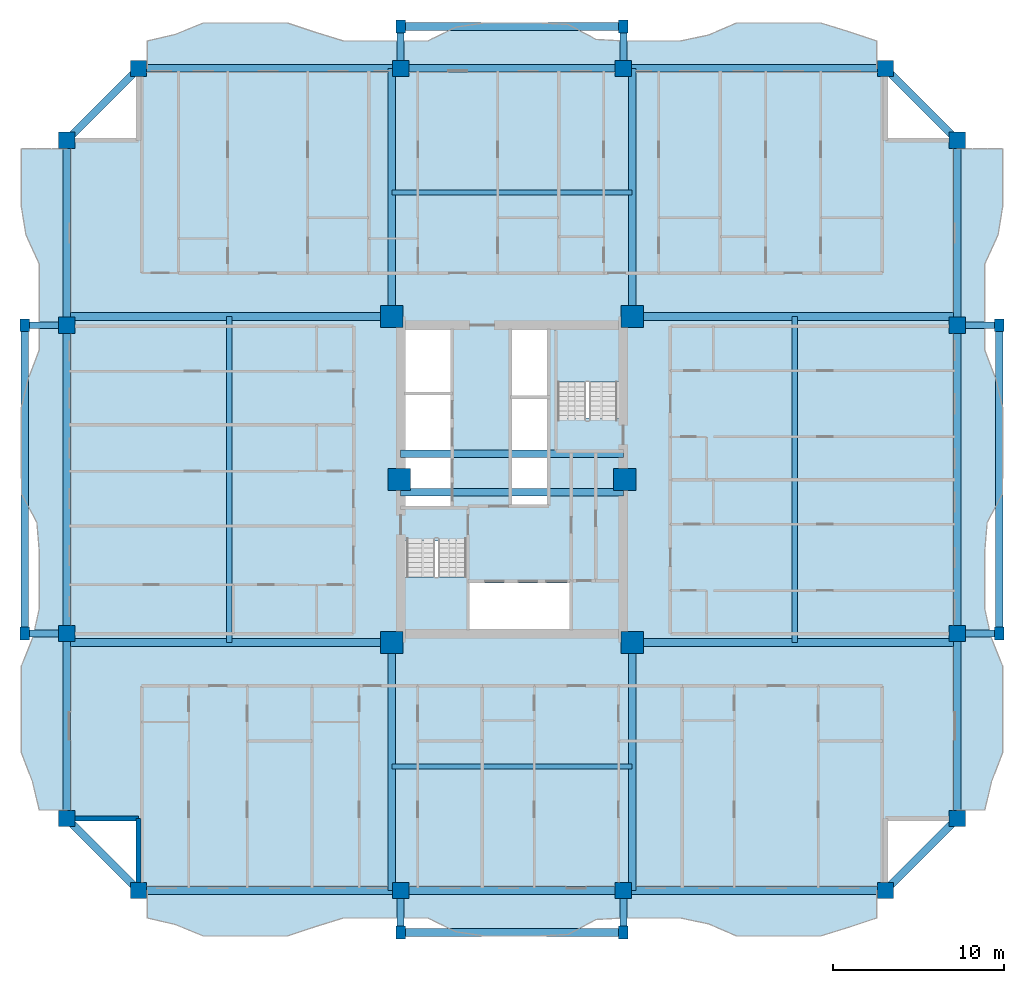
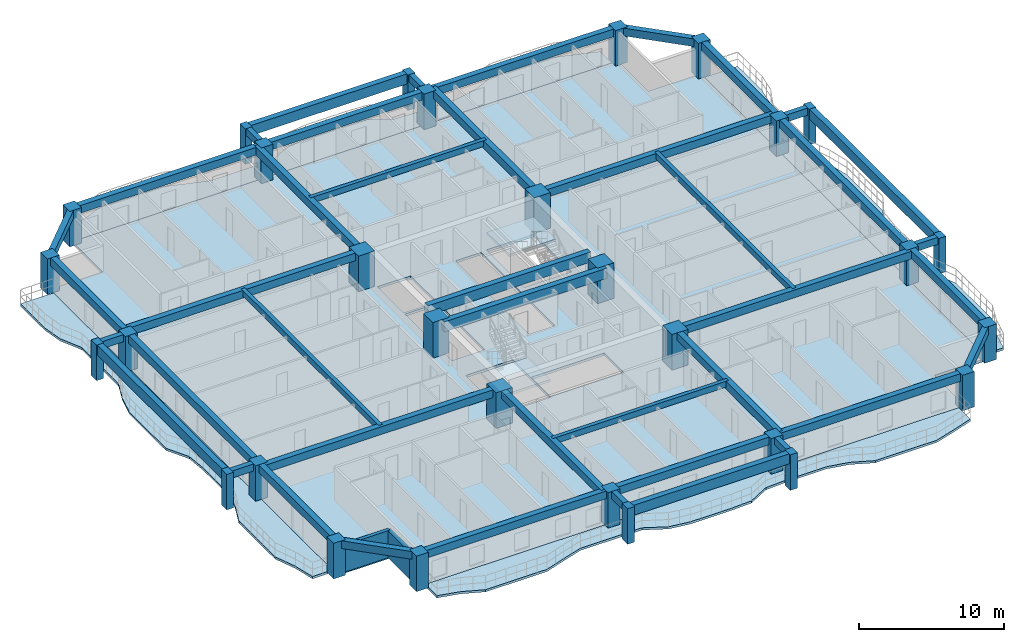
# One storey, part 1 of 14: 42 beams, 30 columns, 7 slabs, 2 walls, 2 elements without a shape of their own.
"""IFC4 building model written with IfcOpenShell, lengths in metres."""

import ifcopenshell
import ifcopenshell.guid

model = None  # the IFC model being written
_history = None  # IfcOwnerHistory: only IFC2X3 demands one
_inside = {}  # id of a spatial element -> (the spatial element, [elements in it])
_under = {}  # id of a project, library or spatial element -> (it, [spatial elements below it])
_declared = {}  # id of a project -> (the project, [libraries it declares])
_typed = {}  # id of a type object -> (the type object, [elements of that type])
_made_of = {}  # id of a material, layer set ... -> (it, [elements and type objects made of it])


def new_model(schema):
    """Start an empty IFC model of exactly this schema.

    Asked for "IFC4X3", IfcOpenShell would pick the latest addendum, in which some entities
    have other attributes; the version numbers below select the first issue.
    IFC2X3 requires an IfcOwnerHistory on every rooted entity: one is made here for all.
    """
    global model, _history
    if schema == "IFC4X3":
        model = ifcopenshell.file(schema_version=(4, 3, 0, 0))
    else:
        model = ifcopenshell.file(schema=schema)
    _inside.clear()
    _under.clear()
    _declared.clear()
    _typed.clear()
    _made_of.clear()
    _history = None
    if model.schema == "IFC2X3":
        org = make("IfcOrganization", Name="unknown")
        user = make(
            "IfcPersonAndOrganization",
            ThePerson=make("IfcPerson", FamilyName="unknown"),
            TheOrganization=org,
        )
        app = make(
            "IfcApplication",
            ApplicationDeveloper=org,
            Version="unknown",
            ApplicationFullName="unknown",
            ApplicationIdentifier="unknown",
        )
        _history = make(
            "IfcOwnerHistory",
            OwningUser=user,
            OwningApplication=app,
            ChangeAction="ADDED",
            CreationDate=0,
        )
    return model


def make(cls, **values):
    """One entity of the class cls with the attributes given. An attribute that is None is left unset."""
    return model.create_entity(
        cls, **{name: value for name, value in values.items() if value is not None}
    )


def rooted(cls, **values):
    """An entity with a GlobalId (a new one), such as an element, a storey or a relation."""
    return make(cls, GlobalId=ifcopenshell.guid.new(), OwnerHistory=_history, **values)


def si_unit(unit_type, name, prefix=None):
    """IfcSIUnit, for example si_unit("LENGTHUNIT", "METRE", prefix="MILLI")."""
    return make("IfcSIUnit", UnitType=unit_type, Prefix=prefix, Name=name)


def assignment(units):
    """IfcUnitAssignment: the units of a project."""
    return None if units is None else make("IfcUnitAssignment", Units=units)


def point(xyz):
    """IfcCartesianPoint."""
    return None if xyz is None else make("IfcCartesianPoint", Coordinates=xyz)


def direction(xyz):
    """IfcDirection."""
    return None if xyz is None else make("IfcDirection", DirectionRatios=xyz)


def frame(location, z_axis=None, x_axis=None):
    """IfcAxis2Placement3D, a coordinate frame: its origin and axes. An axis left out is left unset."""
    return make(
        "IfcAxis2Placement3D",
        Location=point(location),
        Axis=direction(z_axis),
        RefDirection=direction(x_axis),
    )


def frame_2d(location, x_axis=None):
    """IfcAxis2Placement2D, a coordinate frame in the plane: its origin and x axis."""
    return make(
        "IfcAxis2Placement2D", Location=point(location), RefDirection=direction(x_axis)
    )


def origin():
    """The frame at (0, 0, 0) with its axes left unset."""
    return frame((0.0, 0.0, 0.0))


def origin_2d():
    """The frame at (0, 0) in the plane with its x axis left unset."""
    return frame_2d((0.0, 0.0))


def place(relative_to, where):
    """IfcLocalPlacement: puts the frame where relative to a parent placement (None: the world)."""
    return make(
        "IfcLocalPlacement", PlacementRelTo=relative_to, RelativePlacement=where
    )


def context(
    kind, dimensions, precision=None, world=None, true_north=None, identifier=None
):
    """IfcGeometricRepresentationContext, for example the 3D "Model" context."""
    return make(
        "IfcGeometricRepresentationContext",
        ContextIdentifier=identifier,
        ContextType=kind,
        CoordinateSpaceDimension=dimensions,
        Precision=precision,
        WorldCoordinateSystem=world,
        TrueNorth=true_north,
    )


def subcontext(parent, identifier, kind, view, scale=None):
    """IfcGeometricRepresentationSubContext, for example "Body" below "Model"."""
    return make(
        "IfcGeometricRepresentationSubContext",
        ContextIdentifier=identifier,
        ContextType=kind,
        ParentContext=parent,
        TargetScale=scale,
        TargetView=view,
    )


def project(units=None, contexts=None):
    """IfcProject with its units and contexts."""
    return rooted(
        "IfcProject",
        Name="project",
        RepresentationContexts=contexts,
        UnitsInContext=assignment(units),
    )


def spatial(cls, under=None, at=None, **own):
    """A site, building, storey or space (cls), placed at a placement, below another one or the project."""
    s = rooted(cls, ObjectPlacement=at, **own)
    if under is not None:
        _under.setdefault(under.id(), (under, []))[1].append(s)
    return s


def polyline(points):
    """IfcPolyline through the points."""
    return make("IfcPolyline", Points=[point(p) for p in points])


def profile(cls, at=None, kind="AREA", **sizes):
    """A parametric profile (cls). Its sizes go by their IFC names, for example OverallWidth=200.0."""
    return make(cls, ProfileType=kind, Position=at, **sizes)


def rectangle(**sizes):
    """IfcRectangleProfileDef."""
    return profile("IfcRectangleProfileDef", **sizes)


def outline(outer, holes=None, kind="AREA"):
    """IfcArbitraryClosedProfileDef: a profile drawn as a closed curve; with holes, ...WithVoids."""
    if holes is None:
        return make("IfcArbitraryClosedProfileDef", ProfileType=kind, OuterCurve=outer)
    return make(
        "IfcArbitraryProfileDefWithVoids",
        ProfileType=kind,
        OuterCurve=outer,
        InnerCurves=holes,
    )


def extrude(swept, where, along, depth):
    """IfcExtrudedAreaSolid: the profile swept, set in the frame where, extruded along a direction by depth."""
    return make(
        "IfcExtrudedAreaSolid",
        SweptArea=swept,
        Position=where,
        ExtrudedDirection=direction(along),
        Depth=depth,
    )


def shape(context_of_items, identifier, shape_type, items):
    """IfcShapeRepresentation: the items that make up one representation, for example the "Body"."""
    return make(
        "IfcShapeRepresentation",
        ContextOfItems=context_of_items,
        RepresentationIdentifier=identifier,
        RepresentationType=shape_type,
        Items=items,
    )


def source(mapping_origin, context_of_items, identifier, shape_type, items):
    """IfcRepresentationMap: a shape defined once, which mapped items show again and again."""
    return make(
        "IfcRepresentationMap",
        MappingOrigin=mapping_origin,
        MappedRepresentation=shape(context_of_items, identifier, shape_type, items),
    )


def transform(
    local_origin,
    x_axis=None,
    y_axis=None,
    z_axis=None,
    scale=None,
    scale2=None,
    scale3=None,
    uniform=True,
):
    """IfcCartesianTransformationOperator3D, or its non-uniform kind. x_axis, y_axis, z_axis: its Axis1, 2, 3."""
    if uniform:
        return make(
            "IfcCartesianTransformationOperator3D",
            Axis1=direction(x_axis),
            Axis2=direction(y_axis),
            LocalOrigin=point(local_origin),
            Scale=scale,
            Axis3=direction(z_axis),
        )
    return make(
        "IfcCartesianTransformationOperator3DnonUniform",
        Axis1=direction(x_axis),
        Axis2=direction(y_axis),
        LocalOrigin=point(local_origin),
        Scale=scale,
        Axis3=direction(z_axis),
        Scale2=scale2,
        Scale3=scale3,
    )


def mapped(mapping_source, mapping_target):
    """IfcMappedItem: shows the shape of a source again, moved by a transform."""
    return make(
        "IfcMappedItem", MappingSource=mapping_source, MappingTarget=mapping_target
    )


def material(Name=None, Category=None):
    """IfcMaterial."""
    return make("IfcMaterial", Name=Name, Category=Category)


def layer(
    of_material, thickness, ventilated=None, Name=None, Category=None, Priority=None
):
    """IfcMaterialLayer: one layer of a wall or slab, of a material (None: an air gap)."""
    return make(
        "IfcMaterialLayer",
        Material=of_material,
        LayerThickness=thickness,
        IsVentilated=ventilated,
        Name=Name,
        Category=Category,
        Priority=Priority,
    )


def layer_set(layers, Name=None):
    """IfcMaterialLayerSet."""
    return make("IfcMaterialLayerSet", MaterialLayers=layers, LayerSetName=Name)


def material_profile(
    of_material, cross_section, Name=None, Category=None, Priority=None
):
    """IfcMaterialProfile: a cross section and its material."""
    return make(
        "IfcMaterialProfile",
        Name=Name,
        Material=of_material,
        Profile=cross_section,
        Priority=Priority,
        Category=Category,
    )


def profile_set(profiles, Name=None, composite=None):
    """IfcMaterialProfileSet."""
    return make(
        "IfcMaterialProfileSet",
        Name=Name,
        MaterialProfiles=profiles,
        CompositeProfile=composite,
    )


def made_of(thing, what):
    """Note that an element or type object is made of a material, layer set ...; save() writes the relation."""
    if what is not None:
        _made_of.setdefault(what.id(), (what, []))[1].append(thing)
    return thing


def type_object(cls, material=None, **own):
    """A type object (cls), such as IfcWallType, which elements share."""
    return made_of(rooted(cls, **own), material)


def element(
    cls,
    number,
    at=None,
    inside=None,
    cuts=None,
    type_object=None,
    material=None,
    context=None,
    identifier="Body",
    shape_type=None,
    held_by="IfcProductDefinitionShape",
    body=None,
    shapes=None,
    **own,
):
    """One element of the class cls, such as IfcWall. Its Tag is "e" and its number.

    at: its placement. inside: the storey or other place that contains it. cuts: it is an
    opening in that element (IfcRelVoidsElement). A single representation is given by context,
    identifier, shape_type and body (its items); several are given by shapes. held_by: the class
    of the entity that holds the representations. save() writes the other relations.
    """
    e = rooted(cls, Tag="e%d" % number, ObjectPlacement=at, **own)
    if body is not None:
        shapes = [shape(context, identifier, shape_type, body)]
    if shapes is not None:
        e.Representation = make(held_by, Representations=shapes)
    if inside is not None:
        _inside.setdefault(inside.id(), (inside, []))[1].append(e)
    if cuts is not None:
        rooted(
            "IfcRelVoidsElement", RelatingBuildingElement=cuts, RelatedOpeningElement=e
        )
    if type_object is not None:
        _typed.setdefault(type_object.id(), (type_object, []))[1].append(e)
    return made_of(e, material)


def aggregate(whole, parts):
    """IfcRelAggregates: a whole, such as a stair, and the parts it consists of."""
    return rooted("IfcRelAggregates", RelatingObject=whole, RelatedObjects=parts)


def save(model, path):
    """Write the relations noted so far, then the file.

    IfcRelAggregates (storeys below a building ...), IfcRelContainedInSpatialStructure (elements
    in a storey), IfcRelDefinesByType, IfcRelAssociatesMaterial and IfcRelDeclares: one each for
    every whole, place, type object, material and project.
    """
    for whole, parts in _under.values():
        aggregate(whole, parts)
    for where, things in _inside.values():
        rooted(
            "IfcRelContainedInSpatialStructure",
            RelatedElements=things,
            RelatingStructure=where,
        )
    for kind, things in _typed.values():
        rooted("IfcRelDefinesByType", RelatedObjects=things, RelatingType=kind)
    for what, things in _made_of.values():
        rooted("IfcRelAssociatesMaterial", RelatedObjects=things, RelatingMaterial=what)
    for by, libraries in _declared.values():
        rooted("IfcRelDeclares", RelatingContext=by, RelatedDefinitions=libraries)
    model.write(path)


model = new_model("IFC4")

# Units and contexts
model_context = context("Model", 3, precision=1e-05, world=origin(), true_north=direction((0.0, 1.0)))
body_context = subcontext(model_context, "Body", "Model", "MODEL_VIEW")
ifc_project = project(units=[si_unit("LENGTHUNIT", "METRE"), si_unit("AREAUNIT", "SQUARE_METRE"), si_unit("VOLUMEUNIT", "CUBIC_METRE"), si_unit("PLANEANGLEUNIT", "RADIAN"), si_unit("MASSUNIT", "GRAM", prefix="KILO")], contexts=[model_context])

# Site, building, storey
site_placement = place(None, origin())
site = spatial("IfcSite", under=ifc_project, at=site_placement, CompositionType="ELEMENT")
building_placement = place(site_placement, origin())
building = spatial("IfcBuilding", under=site, at=building_placement, Name="Saelheon Loggia Tower", CompositionType="ELEMENT")
storey_placement = place(building_placement, frame((0.0, 0.0, 86.85009765625)))
storey = spatial("IfcBuildingStorey", under=building, at=storey_placement, Name="L27", CompositionType="ELEMENT", Elevation=86.85009765625)

# Columns
ifc_material_1 = material(Name="Precast Concrete C45/55", Category="concrete")
ifc_material_profile_1 = material_profile(ifc_material_1, rectangle(XDim=0.550048828125, YDim=0.75, at=origin_2d()), Name="RC-550x750")
ifc_profile_set_1 = profile_set([ifc_material_profile_1], Name="Precast Concrete C45/55")
column_type_1 = type_object("IfcColumnType", Name="Col_Loggia_Pilaster_750", PredefinedType="PILASTER", material=ifc_profile_set_1)
shared_shape_1 = source(origin(), body_context, "Body", "SweptSolid", [
    extrude(rectangle(XDim=0.550048828125, YDim=0.75, at=origin_2d()), origin(), (0.0, 0.0, 1.0), 3.0),
])
for number, where, z_axis, x_axis, name in (
    (1, (31.5, 0.550048828125, 0.0), (0.0, 0.0, 1.0), (1.0, 0.0, 0.0), "L27 Loggia Frame Pilaster LP-S1"),
    (2, (44.5, 0.550048828125, 0.0), (0.0, 0.0, 1.0), (1.0, 0.0, 0.0), "L27 Loggia Frame Pilaster LP-S2"),
    (3, (31.5, 53.449951171875, 0.0), (0.0, 0.0, 1.0), (1.0, 0.0, 0.0), "L27 Loggia Frame Pilaster LP-N1"),
    (4, (44.5, 53.449951171875, 0.0), (0.0, 0.0, 1.0), (1.0, 0.0, 0.0), "L27 Loggia Frame Pilaster LP-N2"),
    (5, (66.449951171875, 18.0, 0.0), (0.0, 0.0, 1.0), (1.0, 0.0, 0.0), "L27 Loggia Frame Pilaster LP-E1"),
    (6, (66.449951171875, 36.0, 0.0), (0.0, 0.0, 1.0), (1.0, 0.0, 0.0), "L27 Loggia Frame Pilaster LP-E2"),
    (7, (9.550048828125, 18.0, 0.0), (0.0, 0.0, 1.0), (1.0, 0.0, 0.0), "L27 Loggia Frame Pilaster LP-W1"),
    (8, (9.550048828125, 36.0, 0.0), (0.0, 0.0, 1.0), (1.0, 0.0, 0.0), "L27 Loggia Frame Pilaster LP-W2"),
):
    element("IfcColumn", number, at=place(storey_placement, frame(where, z_axis=z_axis, x_axis=x_axis)), inside=storey, type_object=column_type_1, Name=name, PredefinedType="PILASTER", context=body_context, shape_type="MappedRepresentation", body=[
        mapped(shared_shape_1, transform((0.0, 0.0, 0.0), scale=1.0)),
    ])
ifc_material_2 = material(Name="Concrete C60/75", Category="concrete")
ifc_material_profile_2 = material_profile(ifc_material_2, rectangle(XDim=1.300048828125, YDim=1.300048828125, at=origin_2d()), Name="RC-1300x1300")
ifc_profile_set_2 = profile_set([ifc_material_profile_2], Name="Concrete C60/75")
column_type_2 = type_object("IfcColumnType", Name="Col_Core_RC1300", PredefinedType="COLUMN", material=ifc_profile_set_2)
shared_shape_2 = source(origin(), body_context, "Body", "SweptSolid", [
    extrude(rectangle(XDim=1.300048828125, YDim=1.300048828125, at=origin_2d()), origin(), (0.0, 0.0, 1.0), 3.0),
])
for number, where, z_axis, x_axis, name in (
    (9, (30.97998046875, 17.47998046875, 0.0), (0.0, 0.0, 1.0), (1.0, 0.0, 0.0), "L27 Core Column CR-SW"),
    (10, (45.02001953125, 17.47998046875, 0.0), (0.0, 0.0, 1.0), (1.0, 0.0, 0.0), "L27 Core Column CR-SE"),
    (11, (30.97998046875, 36.52001953125, 0.0), (0.0, 0.0, 1.0), (1.0, 0.0, 0.0), "L27 Core Column CR-NW"),
    (12, (45.02001953125, 36.52001953125, 0.0), (0.0, 0.0, 1.0), (1.0, 0.0, 0.0), "L27 Core Column CR-NE"),
    (13, (31.419921875, 27.0, 0.0), (0.0, 0.0, 1.0), (1.0, 0.0, 0.0), "L27 Core Column CR-MW"),
    (14, (44.580078125, 27.0, 0.0), (0.0, 0.0, 1.0), (1.0, 0.0, 0.0), "L27 Core Column CR-ME"),
):
    element("IfcColumn", number, at=place(storey_placement, frame(where, z_axis=z_axis, x_axis=x_axis)), inside=storey, type_object=column_type_2, Name=name, PredefinedType="COLUMN", context=body_context, shape_type="MappedRepresentation", body=[
        mapped(shared_shape_2, transform((0.0, 0.0, 0.0), scale=1.0)),
    ])
ifc_material_3 = material(Name="Concrete C50/60", Category="concrete")
ifc_material_profile_3 = material_profile(ifc_material_3, rectangle(XDim=0.949951171875, YDim=0.949951171875, at=origin_2d()), Name="RC-950x950")
ifc_profile_set_3 = profile_set([ifc_material_profile_3], Name="Concrete C50/60")
column_type_3 = type_object("IfcColumnType", Name="Col_Perim_RC950", PredefinedType="COLUMN", material=ifc_profile_set_3)
shared_shape_3 = source(origin(), body_context, "Body", "SweptSolid", [
    extrude(rectangle(XDim=0.949951171875, YDim=0.949951171875, at=origin_2d()), origin(), (0.0, 0.0, 1.0), 3.0),
])
for number, where, z_axis, x_axis, name in (
    (15, (16.199951171875, 3.0, 0.0), (0.0, 0.0, 1.0), (1.0, 0.0, 0.0), "L27 Perimeter Column TP-S1"),
    (16, (31.5, 3.0, 0.0), (0.0, 0.0, 1.0), (1.0, 0.0, 0.0), "L27 Perimeter Column TP-SA"),
    (17, (44.5, 3.0, 0.0), (0.0, 0.0, 1.0), (1.0, 0.0, 0.0), "L27 Perimeter Column TP-SB"),
    (18, (59.800048828125, 3.0, 0.0), (0.0, 0.0, 1.0), (1.0, 0.0, 0.0), "L27 Perimeter Column TP-S2"),
    (19, (64.0, 7.199951171875, 0.0), (0.0, 0.0, 1.0), (1.0, 0.0, 0.0), "L27 Perimeter Column TP-E1"),
    (20, (64.0, 18.0, 0.0), (0.0, 0.0, 1.0), (1.0, 0.0, 0.0), "L27 Perimeter Column TP-EA"),
    (21, (64.0, 36.0, 0.0), (0.0, 0.0, 1.0), (1.0, 0.0, 0.0), "L27 Perimeter Column TP-EB"),
    (22, (64.0, 46.800048828125, 0.0), (0.0, 0.0, 1.0), (1.0, 0.0, 0.0), "L27 Perimeter Column TP-E2"),
    (23, (59.800048828125, 51.0, 0.0), (0.0, 0.0, 1.0), (1.0, 0.0, 0.0), "L27 Perimeter Column TP-N2"),
    (24, (44.5, 51.0, 0.0), (0.0, 0.0, 1.0), (1.0, 0.0, 0.0), "L27 Perimeter Column TP-NB"),
    (25, (31.5, 51.0, 0.0), (0.0, 0.0, 1.0), (1.0, 0.0, 0.0), "L27 Perimeter Column TP-NA"),
    (26, (16.199951171875, 51.0, 0.0), (0.0, 0.0, 1.0), (1.0, 0.0, 0.0), "L27 Perimeter Column TP-N1"),
    (27, (12.0, 46.800048828125, 0.0), (0.0, 0.0, 1.0), (1.0, 0.0, 0.0), "L27 Perimeter Column TP-W2"),
    (28, (12.0, 36.0, 0.0), (0.0, 0.0, 1.0), (1.0, 0.0, 0.0), "L27 Perimeter Column TP-WB"),
    (29, (12.0, 18.0, 0.0), (0.0, 0.0, 1.0), (1.0, 0.0, 0.0), "L27 Perimeter Column TP-WA"),
    (30, (12.0, 7.199951171875, 0.0), (0.0, 0.0, 1.0), (1.0, 0.0, 0.0), "L27 Perimeter Column TP-W1"),
):
    element("IfcColumn", number, at=place(storey_placement, frame(where, z_axis=z_axis, x_axis=x_axis)), inside=storey, type_object=column_type_3, Name=name, PredefinedType="COLUMN", context=body_context, shape_type="MappedRepresentation", body=[
        mapped(shared_shape_3, transform((0.0, 0.0, 0.0), scale=1.0)),
    ])

# Beams
ifc_material_profile_4 = material_profile(ifc_material_3, rectangle(XDim=0.449951171875, YDim=0.85009765625, at=origin_2d()), Name="RC-450x850")
ifc_profile_set_4 = profile_set([ifc_material_profile_4], Name="Concrete C50/60")
beam_type_1 = type_object("IfcBeamType", Name="Beam_CoreLintel_RC450x850", PredefinedType="LINTEL", material=ifc_profile_set_4)
shared_shape_4 = source(origin(), body_context, "Body", "SweptSolid", [
    extrude(rectangle(XDim=0.449951171875, YDim=0.85009765625, at=origin_2d()), origin(), (0.0, 0.0, 1.0), 13.0),
])
for number, where, z_axis, x_axis, name in (
    (31, (31.5, 26.25, 2.574951171875), (1.0, 0.0, 0.0), (0.0, 1.0, 0.0), "L27 Core Coupling Lintel 1"),
    (32, (31.5, 28.5, 2.574951171875), (1.0, 0.0, 0.0), (0.0, 1.0, 0.0), "L27 Core Coupling Lintel 2"),
):
    element("IfcBeam", number, at=place(storey_placement, frame(where, z_axis=z_axis, x_axis=x_axis)), inside=storey, type_object=beam_type_1, Name=name, PredefinedType="LINTEL", context=body_context, shape_type="MappedRepresentation", body=[
        mapped(shared_shape_4, transform((0.0, 0.0, 0.0), scale=1.0)),
    ])
ifc_material_profile_5 = material_profile(ifc_material_1, rectangle(XDim=0.449951171875, YDim=0.85009765625, at=origin_2d()), Name="RC-450x850")
ifc_profile_set_5 = profile_set([ifc_material_profile_5], Name="Precast Concrete C45/55")
beam_type_2 = type_object("IfcBeamType", Name="Beam_LoggiaSpandrel_RC450x850", PredefinedType="SPANDREL", material=ifc_profile_set_5)
for number, where, z_axis, x_axis, name in (
    (33, (31.5, 0.550048828125, 2.574951171875), (1.0, 0.0, 0.0), (0.0, 1.0, 0.0), "L27 Loggia Spandrel Beam S"),
    (34, (31.5, 53.449951171875, 2.574951171875), (1.0, 0.0, 0.0), (0.0, 1.0, 0.0), "L27 Loggia Spandrel Beam N"),
):
    element("IfcBeam", number, at=place(storey_placement, frame(where, z_axis=z_axis, x_axis=x_axis)), inside=storey, type_object=beam_type_2, Name=name, PredefinedType="SPANDREL", context=body_context, shape_type="MappedRepresentation", body=[
        mapped(shared_shape_4, transform((0.0, 0.0, 0.0), scale=1.0)),
    ])
ifc_material_profile_6 = material_profile(ifc_material_1, rectangle(XDim=0.39990234375, YDim=0.60009765625, at=origin_2d()), Name="RC-400x600")
ifc_profile_set_6 = profile_set([ifc_material_profile_6], Name="Precast Concrete C45/55")
beam_type_3 = type_object("IfcBeamType", Name="Beam_LoggiaTie_RC400x600", PredefinedType="BEAM", material=ifc_profile_set_6)
shared_shape_5 = source(origin(), body_context, "Body", "SweptSolid", [
    extrude(rectangle(XDim=0.39990234375, YDim=0.60009765625, at=origin_2d()), origin(), (0.0, 0.0, 1.0), 2.449951171875),
])
for number, where, z_axis, x_axis, name in (
    (35, (31.5, 3.0, 2.699951171875), (0.0, -1.0, 0.0), (1.0, 0.0, 0.0), "L27 Loggia Frame Tie Beam LP-S1"),
    (36, (44.5, 3.0, 2.699951171875), (0.0, -1.0, 0.0), (1.0, 0.0, 0.0), "L27 Loggia Frame Tie Beam LP-S2"),
    (37, (31.5, 51.0, 2.699951171875), (0.0, 1.0, 0.0), (-1.0, 0.0, 0.0), "L27 Loggia Frame Tie Beam LP-N1"),
    (38, (44.5, 51.0, 2.699951171875), (0.0, 1.0, 0.0), (-1.0, 0.0, 0.0), "L27 Loggia Frame Tie Beam LP-N2"),
    (39, (64.0, 18.0, 2.699951171875), (1.0, 0.0, 0.0), (0.0, 1.0, 0.0), "L27 Loggia Frame Tie Beam LP-E1"),
    (40, (64.0, 36.0, 2.699951171875), (1.0, 0.0, 0.0), (0.0, 1.0, 0.0), "L27 Loggia Frame Tie Beam LP-E2"),
    (41, (12.0, 18.0, 2.699951171875), (-1.0, 0.0, 0.0), (0.0, -1.0, 0.0), "L27 Loggia Frame Tie Beam LP-W1"),
    (42, (12.0, 36.0, 2.699951171875), (-1.0, 0.0, 0.0), (0.0, -1.0, 0.0), "L27 Loggia Frame Tie Beam LP-W2"),
):
    element("IfcBeam", number, at=place(storey_placement, frame(where, z_axis=z_axis, x_axis=x_axis)), inside=storey, type_object=beam_type_3, Name=name, PredefinedType="BEAM", context=body_context, shape_type="MappedRepresentation", body=[
        mapped(shared_shape_5, transform((0.0, 0.0, 0.0), scale=1.0)),
    ])
shared_shape_6 = source(origin(), body_context, "Body", "SweptSolid", [
    extrude(rectangle(XDim=0.449951171875, YDim=0.85009765625, at=origin_2d()), origin(), (0.0, 0.0, 1.0), 18.0),
])
for number, where, z_axis, x_axis, name in (
    (43, (66.449951171875, 18.0, 2.574951171875), (0.0, 1.0, 0.0), (-1.0, 0.0, 0.0), "L27 Loggia Spandrel Beam E"),
    (44, (9.550048828125, 18.0, 2.574951171875), (0.0, 1.0, 0.0), (-1.0, 0.0, 0.0), "L27 Loggia Spandrel Beam W"),
):
    element("IfcBeam", number, at=place(storey_placement, frame(where, z_axis=z_axis, x_axis=x_axis)), inside=storey, type_object=beam_type_2, Name=name, PredefinedType="SPANDREL", context=body_context, shape_type="MappedRepresentation", body=[
        mapped(shared_shape_6, transform((0.0, 0.0, 0.0), scale=1.0)),
    ])
ifc_material_4 = material(Name="Concrete C40/50", Category="concrete")
ifc_material_profile_7 = material_profile(ifc_material_4, rectangle(XDim=0.449951171875, YDim=0.64990234375, at=origin_2d()), Name="RC-450x650")
ifc_profile_set_7 = profile_set([ifc_material_profile_7], Name="Concrete C40/50")
beam_type_4 = type_object("IfcBeamType", Name="Beam_PerimTower_RC450x650", PredefinedType="BEAM", material=ifc_profile_set_7)
shared_shape_7 = source(origin(), body_context, "Body", "SweptSolid", [
    extrude(rectangle(XDim=0.449951171875, YDim=0.64990234375, at=origin_2d()), origin(), (0.0, 0.0, 1.0), 15.300048828125),
])
for number, where, z_axis, x_axis, name in (
    (45, (16.199951171875, 3.0, 2.6748046875), (1.0, 0.0, 0.0), (0.0, 1.0, 0.0), "L27 Perimeter Frame Girder 01"),
    (46, (44.5, 3.0, 2.6748046875), (1.0, 0.0, 0.0), (0.0, 1.0, 0.0), "L27 Perimeter Frame Girder 03"),
    (47, (59.800048828125, 51.0, 2.6748046875), (-1.0, 0.0, 0.0), (0.0, -1.0, 0.0), "L27 Perimeter Frame Girder 09"),
    (48, (31.5, 51.0, 2.6748046875), (-1.0, 0.0, 0.0), (0.0, -1.0, 0.0), "L27 Perimeter Frame Girder 11"),
):
    element("IfcBeam", number, at=place(storey_placement, frame(where, z_axis=z_axis, x_axis=x_axis)), inside=storey, type_object=beam_type_4, Name=name, PredefinedType="BEAM", context=body_context, shape_type="MappedRepresentation", body=[
        mapped(shared_shape_7, transform((0.0, 0.0, 0.0), scale=1.0)),
    ])
shared_shape_8 = source(origin(), body_context, "Body", "SweptSolid", [
    extrude(rectangle(XDim=0.449951171875, YDim=0.64990234375, at=origin_2d()), origin(), (0.0, 0.0, 1.0), 13.0),
])
for number, where, z_axis, x_axis, name in (
    (49, (31.5, 3.0, 2.6748046875), (1.0, 0.0, 0.0), (0.0, 1.0, 0.0), "L27 Perimeter Frame Girder 02"),
    (50, (44.5, 51.0, 2.6748046875), (-1.0, 0.0, 0.0), (0.0, -1.0, 0.0), "L27 Perimeter Frame Girder 10"),
):
    element("IfcBeam", number, at=place(storey_placement, frame(where, z_axis=z_axis, x_axis=x_axis)), inside=storey, type_object=beam_type_4, Name=name, PredefinedType="BEAM", context=body_context, shape_type="MappedRepresentation", body=[
        mapped(shared_shape_8, transform((0.0, 0.0, 0.0), scale=1.0)),
    ])
shared_shape_9 = source(origin(), body_context, "Body", "SweptSolid", [
    extrude(rectangle(XDim=0.449951171875, YDim=0.64990234375, at=origin_2d()), origin(), (0.0, 0.0, 1.0), 5.939697265625),
])
for number, where, z_axis, x_axis, name in (
    (51, (59.800048828125, 3.0, 2.6748046875), (0.707106781187, 0.707106781187, 0.0), (-0.707106781187, 0.707106781187, 0.0), "L27 Perimeter Frame Girder 04"),
    (52, (64.0, 46.800048828125, 2.6748046875), (-0.707106781187, 0.707106781187, 0.0), (-0.707106781187, -0.707106781187, 0.0), "L27 Perimeter Frame Girder 08"),
    (53, (16.199951171875, 51.0, 2.6748046875), (-0.707106781187, -0.707106781187, 0.0), (0.707106781187, -0.707106781187, 0.0), "L27 Perimeter Frame Girder 12"),
    (54, (12.0, 7.199951171875, 2.6748046875), (0.707106781187, -0.707106781187, 0.0), (0.707106781187, 0.707106781187, 0.0), "L27 Perimeter Frame Girder 16"),
):
    element("IfcBeam", number, at=place(storey_placement, frame(where, z_axis=z_axis, x_axis=x_axis)), inside=storey, type_object=beam_type_4, Name=name, PredefinedType="BEAM", context=body_context, shape_type="MappedRepresentation", body=[
        mapped(shared_shape_9, transform((0.0, 0.0, 0.0), scale=1.0)),
    ])
shared_shape_10 = source(origin(), body_context, "Body", "SweptSolid", [
    extrude(rectangle(XDim=0.449951171875, YDim=0.64990234375, at=origin_2d()), origin(), (0.0, 0.0, 1.0), 10.800048828125),
])
for number, where, z_axis, x_axis, name in (
    (55, (64.0, 7.199951171875, 2.6748046875), (0.0, 1.0, 0.0), (-1.0, 0.0, 0.0), "L27 Perimeter Frame Girder 05"),
    (56, (64.0, 36.0, 2.6748046875), (0.0, 1.0, 0.0), (-1.0, 0.0, 0.0), "L27 Perimeter Frame Girder 07"),
    (57, (12.0, 46.800048828125, 2.6748046875), (0.0, -1.0, 0.0), (1.0, 0.0, 0.0), "L27 Perimeter Frame Girder 13"),
    (58, (12.0, 18.0, 2.6748046875), (0.0, -1.0, 0.0), (1.0, 0.0, 0.0), "L27 Perimeter Frame Girder 15"),
):
    element("IfcBeam", number, at=place(storey_placement, frame(where, z_axis=z_axis, x_axis=x_axis)), inside=storey, type_object=beam_type_4, Name=name, PredefinedType="BEAM", context=body_context, shape_type="MappedRepresentation", body=[
        mapped(shared_shape_10, transform((0.0, 0.0, 0.0), scale=1.0)),
    ])
shared_shape_11 = source(origin(), body_context, "Body", "SweptSolid", [
    extrude(rectangle(XDim=0.449951171875, YDim=0.64990234375, at=origin_2d()), origin(), (0.0, 0.0, 1.0), 18.0),
])
for number, where, z_axis, x_axis, name in (
    (59, (64.0, 18.0, 2.6748046875), (0.0, 1.0, 0.0), (-1.0, 0.0, 0.0), "L27 Perimeter Frame Girder 06"),
    (60, (12.0, 36.0, 2.6748046875), (0.0, -1.0, 0.0), (1.0, 0.0, 0.0), "L27 Perimeter Frame Girder 14"),
):
    element("IfcBeam", number, at=place(storey_placement, frame(where, z_axis=z_axis, x_axis=x_axis)), inside=storey, type_object=beam_type_4, Name=name, PredefinedType="BEAM", context=body_context, shape_type="MappedRepresentation", body=[
        mapped(shared_shape_11, transform((0.0, 0.0, 0.0), scale=1.0)),
    ])
ifc_material_profile_8 = material_profile(ifc_material_4, rectangle(XDim=0.449951171875, YDim=0.64990234375, at=origin_2d()), Name="RC-450x650")
ifc_profile_set_8 = profile_set([ifc_material_profile_8], Name="Concrete C40/50")
beam_type_5 = type_object("IfcBeamType", Name="Beam_TowerGirder_RC450x650", PredefinedType="BEAM", material=ifc_profile_set_8)
shared_shape_12 = source(origin(), body_context, "Body", "SweptSolid", [
    extrude(rectangle(XDim=0.449951171875, YDim=0.64990234375, at=origin_2d()), origin(), (0.0, 0.0, 1.0), 14.47998046875),
])
for number, where, z_axis, x_axis, name in (
    (61, (30.97998046875, 17.47998046875, 2.6748046875), (0.0, -1.0, 0.0), (1.0, 0.0, 0.0), "L27 Radial Floor Girder RAD-SW-S"),
    (62, (45.02001953125, 17.47998046875, 2.6748046875), (0.0, -1.0, 0.0), (1.0, 0.0, 0.0), "L27 Radial Floor Girder RAD-SE-S"),
    (63, (30.97998046875, 36.52001953125, 2.6748046875), (0.0, 1.0, 0.0), (-1.0, 0.0, 0.0), "L27 Radial Floor Girder RAD-NW-N"),
    (64, (45.02001953125, 36.52001953125, 2.6748046875), (0.0, 1.0, 0.0), (-1.0, 0.0, 0.0), "L27 Radial Floor Girder RAD-NE-N"),
):
    element("IfcBeam", number, at=place(storey_placement, frame(where, z_axis=z_axis, x_axis=x_axis)), inside=storey, type_object=beam_type_5, Name=name, PredefinedType="BEAM", context=body_context, shape_type="MappedRepresentation", body=[
        mapped(shared_shape_12, transform((0.0, 0.0, 0.0), scale=1.0)),
    ])
shared_shape_13 = source(origin(), body_context, "Body", "SweptSolid", [
    extrude(rectangle(XDim=0.449951171875, YDim=0.64990234375, at=origin_2d()), origin(), (0.0, 0.0, 1.0), 18.97998046875),
])
for number, where, z_axis, x_axis, name in (
    (65, (30.97998046875, 17.47998046875, 2.6748046875), (-1.0, 0.0, 0.0), (0.0, -1.0, 0.0), "L27 Radial Floor Girder RAD-SW-W"),
    (66, (30.97998046875, 36.52001953125, 2.6748046875), (-1.0, 0.0, 0.0), (0.0, -1.0, 0.0), "L27 Radial Floor Girder RAD-NW-W"),
    (67, (45.02001953125, 17.47998046875, 2.6748046875), (1.0, 0.0, 0.0), (0.0, 1.0, 0.0), "L27 Radial Floor Girder RAD-SE-E"),
    (68, (45.02001953125, 36.52001953125, 2.6748046875), (1.0, 0.0, 0.0), (0.0, 1.0, 0.0), "L27 Radial Floor Girder RAD-NE-E"),
):
    element("IfcBeam", number, at=place(storey_placement, frame(where, z_axis=z_axis, x_axis=x_axis)), inside=storey, type_object=beam_type_5, Name=name, PredefinedType="BEAM", context=body_context, shape_type="MappedRepresentation", body=[
        mapped(shared_shape_13, transform((0.0, 0.0, 0.0), scale=1.0)),
    ])
ifc_material_profile_9 = material_profile(ifc_material_4, rectangle(XDim=0.300048828125, YDim=0.5, at=origin_2d()), Name="RC-300x500")
ifc_profile_set_9 = profile_set([ifc_material_profile_9], Name="Concrete C40/50")
beam_type_6 = type_object("IfcBeamType", Name="Beam_Joist_RC300x500", PredefinedType="JOIST", material=ifc_profile_set_9)
shared_shape_14 = source(origin(), body_context, "Body", "SweptSolid", [
    extrude(rectangle(XDim=0.300048828125, YDim=0.5, at=origin_2d()), origin(), (0.0, 0.0, 1.0), 14.0400390625),
])
for number, where, z_axis, x_axis, name in (
    (69, (30.97998046875, 10.239990234375, 2.75), (1.0, 0.0, 0.0), (0.0, 1.0, 0.0), "L27 South Floor Joist"),
    (70, (30.97998046875, 43.760009765625, 2.75), (1.0, 0.0, 0.0), (0.0, 1.0, 0.0), "L27 North Floor Joist"),
):
    element("IfcBeam", number, at=place(storey_placement, frame(where, z_axis=z_axis, x_axis=x_axis)), inside=storey, type_object=beam_type_6, Name=name, PredefinedType="JOIST", context=body_context, shape_type="MappedRepresentation", body=[
        mapped(shared_shape_14, transform((0.0, 0.0, 0.0), scale=1.0)),
    ])
shared_shape_15 = source(origin(), body_context, "Body", "SweptSolid", [
    extrude(rectangle(XDim=0.300048828125, YDim=0.5, at=origin_2d()), origin(), (0.0, 0.0, 1.0), 19.0400390625),
])
for number, where, z_axis, x_axis, name in (
    (71, (21.489990234375, 17.47998046875, 2.75), (0.0, 1.0, 0.0), (-1.0, 0.0, 0.0), "L27 West Floor Joist"),
    (72, (54.510009765625, 17.47998046875, 2.75), (0.0, 1.0, 0.0), (-1.0, 0.0, 0.0), "L27 East Floor Joist"),
):
    element("IfcBeam", number, at=place(storey_placement, frame(where, z_axis=z_axis, x_axis=x_axis)), inside=storey, type_object=beam_type_6, Name=name, PredefinedType="JOIST", context=body_context, shape_type="MappedRepresentation", body=[
        mapped(shared_shape_15, transform((0.0, 0.0, 0.0), scale=1.0)),
    ])

# Slabs
ifc_layer_1 = layer(ifc_material_1, 0.18994140625)
ifc_layer_set_1 = layer_set([ifc_layer_1], Name="Precast Concrete C45/55")
slab_type_1 = type_object("IfcSlabType", Name="Slab_Loggia_Ext_190", PredefinedType="FLOOR", material=ifc_layer_set_1)
slab_1_placement = place(storey_placement, frame((0.0, 0.0, -0.190185546875)))
element("IfcSlab", 73, at=slab_1_placement, inside=storey, type_object=slab_type_1, Name="L27 Loggia Balcony Slab S", PredefinedType="FLOOR", context=body_context, shape_type="SweptSolid", body=[
    extrude(outline(polyline([(16.699951171875, 1.39990234375), (18.33837890625, 1.01904296875), (19.976806640625, 0.35009765625), (21.615478515625, 0.35009765625), (23.25390625, 0.35009765625), (24.892333984375, 0.35009765625), (26.53076171875, 0.893798828125), (28.169189453125, 1.39990234375), (29.8076171875, 1.39990234375), (31.4462890625, 1.39990234375), (33.084716796875, 1.39990234375), (34.72314453125, 0.59423828125), (36.361572265625, 0.35009765625), (38.0, 0.35009765625), (39.638427734375, 0.35009765625), (41.27685546875, 0.436279296875), (42.915283203125, 1.31103515625), (44.5537109375, 1.39990234375), (46.1923828125, 1.39990234375), (47.830810546875, 1.39990234375), (49.46923828125, 1.05615234375), (51.107666015625, 0.35009765625), (52.74609375, 0.35009765625), (54.384521484375, 0.35009765625), (56.023193359375, 0.35009765625), (57.66162109375, 0.856201171875), (59.300048828125, 1.39990234375), (59.300048828125, 3.0), (16.699951171875, 3.0), (16.699951171875, 1.39990234375)])), origin(), (0.0, 0.0, 1.0), 0.190185546875),
])
slab_2_placement = place(storey_placement, frame((0.0, 0.0, -0.190185546875)))
element("IfcSlab", 74, at=slab_2_placement, inside=storey, type_object=slab_type_1, Name="L27 Loggia Balcony Slab N", PredefinedType="FLOOR", context=body_context, shape_type="SweptSolid", body=[
    extrude(outline(polyline([(16.699951171875, 51.0), (59.300048828125, 51.0), (59.300048828125, 52.60009765625), (57.66162109375, 53.143798828125), (56.023193359375, 53.64990234375), (54.384521484375, 53.64990234375), (52.74609375, 53.64990234375), (51.107666015625, 53.64990234375), (49.46923828125, 52.94384765625), (47.830810546875, 52.60009765625), (46.1923828125, 52.60009765625), (44.5537109375, 52.60009765625), (42.915283203125, 52.68896484375), (41.27685546875, 53.563720703125), (39.638427734375, 53.64990234375), (38.0, 53.64990234375), (36.361572265625, 53.64990234375), (34.72314453125, 53.40576171875), (33.084716796875, 52.60009765625), (31.4462890625, 52.60009765625), (29.8076171875, 52.60009765625), (28.169189453125, 52.60009765625), (26.53076171875, 53.106201171875), (24.892333984375, 53.64990234375), (23.25390625, 53.64990234375), (21.615478515625, 53.64990234375), (19.976806640625, 53.64990234375), (18.33837890625, 52.98095703125), (16.699951171875, 52.60009765625), (16.699951171875, 51.0)])), origin(), (0.0, 0.0, 1.0), 0.190185546875),
])
slab_3_placement = place(storey_placement, frame((0.0, 0.0, -0.190185546875)))
element("IfcSlab", 75, at=slab_3_placement, inside=storey, type_object=slab_type_1, Name="L27 Loggia Balcony Slab E", PredefinedType="FLOOR", context=body_context, shape_type="SweptSolid", body=[
    extrude(outline(polyline([(64.0, 7.699951171875), (65.60009765625, 7.699951171875), (66.00244140625, 9.37841796875), (66.64990234375, 11.056396484375), (66.64990234375, 12.73486328125), (66.64990234375, 14.4130859375), (66.64990234375, 16.09130859375), (65.976806640625, 17.76953125), (65.60009765625, 19.44775390625), (65.60009765625, 21.126220703125), (65.60009765625, 22.80419921875), (65.739501953125, 24.482666015625), (66.63427734375, 26.160888671875), (66.64990234375, 27.839111328125), (66.64990234375, 29.517333984375), (66.64990234375, 31.19580078125), (66.24560546875, 32.873779296875), (65.60009765625, 34.55224609375), (65.60009765625, 36.23046875), (65.60009765625, 37.90869140625), (65.60009765625, 39.5869140625), (66.374755859375, 41.26513671875), (66.64990234375, 42.943603515625), (66.64990234375, 44.62158203125), (66.64990234375, 46.300048828125), (64.0, 46.300048828125), (64.0, 7.699951171875)])), origin(), (0.0, 0.0, 1.0), 0.190185546875),
])
slab_4_placement = place(storey_placement, frame((0.0, 0.0, -0.190185546875)))
element("IfcSlab", 76, at=slab_4_placement, inside=storey, type_object=slab_type_1, Name="L27 Loggia Balcony Slab W", PredefinedType="FLOOR", context=body_context, shape_type="SweptSolid", body=[
    extrude(outline(polyline([(12.0, 7.699951171875), (12.0, 46.300048828125), (9.35009765625, 46.300048828125), (9.35009765625, 44.62158203125), (9.35009765625, 42.943603515625), (9.625244140625, 41.26513671875), (10.39990234375, 39.5869140625), (10.39990234375, 37.90869140625), (10.39990234375, 36.23046875), (10.39990234375, 34.55224609375), (9.75439453125, 32.873779296875), (9.35009765625, 31.19580078125), (9.35009765625, 29.517333984375), (9.35009765625, 27.839111328125), (9.36572265625, 26.160888671875), (10.260498046875, 24.482666015625), (10.39990234375, 22.80419921875), (10.39990234375, 21.126220703125), (10.39990234375, 19.44775390625), (10.023193359375, 17.76953125), (9.35009765625, 16.09130859375), (9.35009765625, 14.4130859375), (9.35009765625, 12.73486328125), (9.35009765625, 11.056396484375), (9.99755859375, 9.37841796875), (10.39990234375, 7.699951171875), (12.0, 7.699951171875)])), origin(), (0.0, 0.0, 1.0), 0.190185546875),
])

# Stair, slab
stair_type = type_object("IfcStairType", Name="Stair_Escape_Core", PredefinedType="HALF_TURN_STAIR", material=ifc_material_4)
stair_1_placement = place(storey_placement, origin())
stair_1 = element("IfcStair", 77, at=stair_1_placement, inside=storey, type_object=stair_type, Name="L27 Special Escape Stair ST1", PredefinedType="HALF_TURN_STAIR")
ifc_layer_2 = layer(ifc_material_4, 0.199951171875)
ifc_layer_set_2 = layer_set([ifc_layer_2], Name="Concrete C40/50")
slab_type_2 = type_object("IfcSlabType", Name="Slab_StairLanding_ST1", PredefinedType="LANDING", material=ifc_layer_set_2)
slab_5_placement = place(storey_placement, frame((0.0, 0.0, 1.2998046875)))
slab_5 = element("IfcSlab", 78, at=slab_5_placement, type_object=slab_type_2, Name="ST1 landing 1", PredefinedType="LANDING", context=body_context, shape_type="SweptSolid", body=[
    extrude(outline(polyline([(31.7099609375, 21.31005859375), (31.7099609375, 18.2099609375), (35.469970703125, 18.2099609375), (35.469970703125, 21.31005859375), (31.7099609375, 21.31005859375)])), origin(), (0.0, 0.0, 1.0), 0.2001953125),
])
aggregate(stair_1, [slab_5])

stair_2_placement = place(storey_placement, origin())
stair_2 = element("IfcStair", 79, at=stair_2_placement, inside=storey, type_object=stair_type, Name="L27 Special Escape Stair ST2", PredefinedType="HALF_TURN_STAIR")
ifc_layer_3 = layer(ifc_material_4, 0.199951171875)
ifc_layer_set_3 = layer_set([ifc_layer_3], Name="Concrete C40/50")
slab_type_3 = type_object("IfcSlabType", Name="Slab_StairLanding_ST2", PredefinedType="LANDING", material=ifc_layer_set_3)
slab_6_placement = place(storey_placement, frame((0.0, 0.0, 1.2998046875)))
slab_6 = element("IfcSlab", 80, at=slab_6_placement, type_object=slab_type_3, Name="ST2 landing 1", PredefinedType="LANDING", context=body_context, shape_type="SweptSolid", body=[
    extrude(outline(polyline([(44.2900390625, 32.68994140625), (44.2900390625, 35.7900390625), (40.530029296875, 35.7900390625), (40.530029296875, 32.68994140625), (44.2900390625, 32.68994140625)])), origin(), (0.0, 0.0, 1.0), 0.2001953125),
])
aggregate(stair_2, [slab_6])

# Slab
ifc_layer_4 = layer(ifc_material_4, 0.2099609375)
ifc_layer_set_4 = layer_set([ifc_layer_4], Name="Concrete C40/50")
slab_type_4 = type_object("IfcSlabType", Name="Slab_Tower_210", PredefinedType="FLOOR", material=ifc_layer_set_4)
slab_7_placement = place(storey_placement, frame((0.0, 0.0, -0.210205078125)))
element("IfcSlab", 81, at=slab_7_placement, inside=storey, type_object=slab_type_4, Name="L27 Tower Floor Slab", PredefinedType="FLOOR", context=body_context, shape_type="SweptSolid", body=[
    extrude(outline(polyline([(16.199951171875, 3.0), (59.800048828125, 3.0), (59.800048828125, 7.199951171875), (64.0, 7.199951171875), (64.0, 46.800048828125), (59.800048828125, 46.800048828125), (59.800048828125, 51.0), (16.199951171875, 51.0), (16.199951171875, 46.800048828125), (12.0, 46.800048828125), (12.0, 7.199951171875), (16.199951171875, 7.199951171875), (16.199951171875, 3.0)]), holes=[polyline([(31.699951171875, 23.409912109375), (31.699951171875, 18.199951171875), (35.47998046875, 18.199951171875), (35.47998046875, 23.409912109375), (31.699951171875, 23.409912109375)]), polyline([(44.300048828125, 30.590087890625), (44.300048828125, 35.800048828125), (40.52001953125, 35.800048828125), (40.52001953125, 30.590087890625), (44.300048828125, 30.590087890625)]), polyline([(35.530029296875, 18.27490234375), (41.35009765625, 18.27490234375), (41.35009765625, 20.9599609375), (35.530029296875, 20.9599609375), (35.530029296875, 18.27490234375)]), polyline([(31.77490234375, 32.1201171875), (34.419921875, 32.1201171875), (34.419921875, 35.72509765625), (31.77490234375, 35.72509765625), (31.77490234375, 32.1201171875)]), polyline([(38.0, 31.89990234375), (40.050048828125, 31.89990234375), (40.050048828125, 35.72509765625), (38.0, 35.72509765625), (38.0, 31.89990234375)]), polyline([(31.77490234375, 25.449951171875), (34.419921875, 25.449951171875), (34.419921875, 31.919921875), (31.77490234375, 31.919921875), (31.77490234375, 25.449951171875)]), polyline([(38.0, 25.5400390625), (40.050048828125, 25.5400390625), (40.050048828125, 31.699951171875), (38.0, 31.699951171875), (38.0, 25.5400390625)])]), origin(), (0.0, 0.0, 1.0), 0.210205078125),
])

# Walls
ifc_material_5 = material(Name="Architectural Precast Concrete C40/50", Category="concrete")
ifc_layer_5 = layer(ifc_material_5, 0.280029296875)
ifc_layer_set_5 = layer_set([ifc_layer_5], Name="Architectural Precast Concrete C40/50")
wall_type = type_object("IfcWallType", Name="Wall_Ext_Loggia_280", PredefinedType="SOLIDWALL", material=ifc_layer_set_5)
for number, where, z_axis, x_axis, name in (
    (82, (16.199951171875, 3.080078125, 0.0), (0.0, 0.0, 1.0), (0.0, 1.0, 0.0), "L27 Corner Notch Precast Wall SW1"),
    (83, (12.080078125, 7.199951171875, 0.0), (0.0, 0.0, 1.0), (1.0, 0.0, 0.0), "L27 Corner Notch Precast Wall SW2"),
):
    element("IfcWall", number, at=place(storey_placement, frame(where, z_axis=z_axis, x_axis=x_axis)), inside=storey, type_object=wall_type, Name=name, PredefinedType="SOLIDWALL", context=body_context, shape_type="SweptSolid", body=[
        extrude(rectangle(XDim=4.119873046875, YDim=0.280029296875, at=frame_2d((2.06005859375, 0.0))), origin(), (0.0, 0.0, 1.0), 2.27978515625),
    ])

save(model, "model.ifc")
